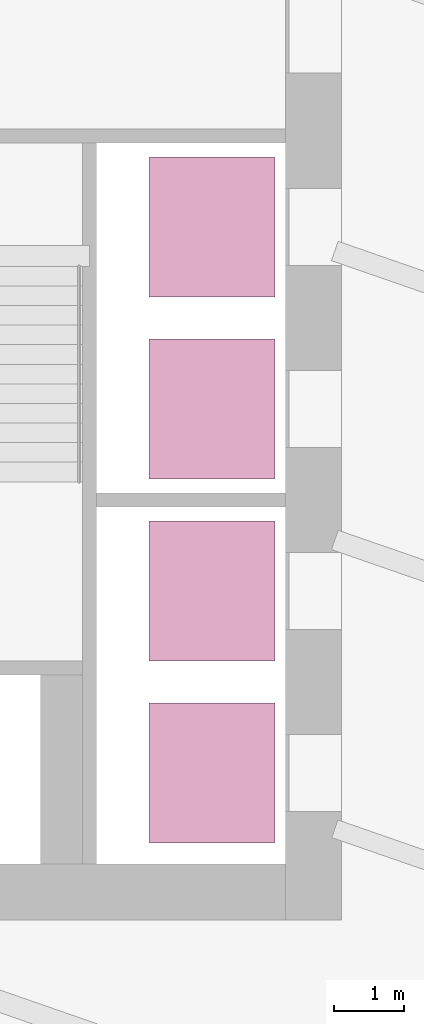
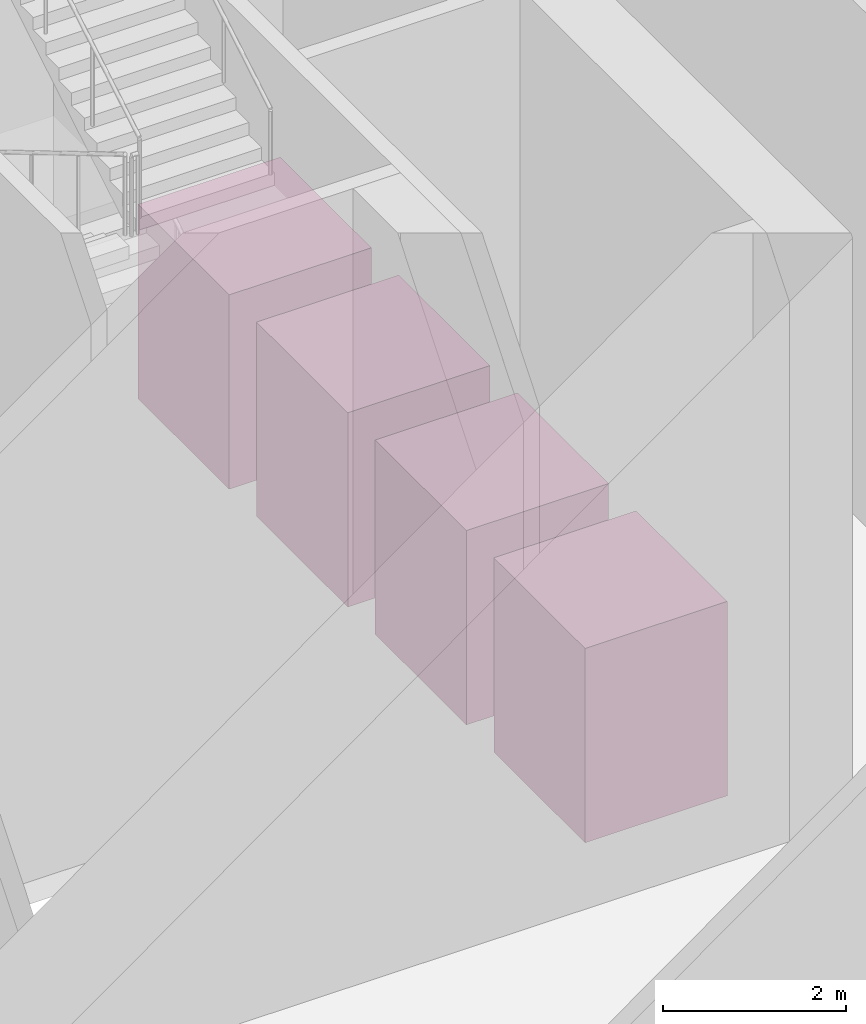
# One storey, part 62 of 63: 4 transport elements.
"""IFC4 building model written with IfcOpenShell, lengths in metres."""

from ifc_helpers import new_model, si_unit, direction, frame, origin, origin_2d, place, context, subcontext, project, spatial, rectangle, extrude, material, type_object, element, save


model = new_model("IFC4")

# Units and contexts
model_context = context("Model", 3, precision=1e-05, world=origin(), true_north=direction((0.0, 1.0)))
body_context = subcontext(model_context, "Body", "Model", "MODEL_VIEW")
ifc_project = project(units=[si_unit("LENGTHUNIT", "METRE"), si_unit("AREAUNIT", "SQUARE_METRE"), si_unit("VOLUMEUNIT", "CUBIC_METRE"), si_unit("PLANEANGLEUNIT", "RADIAN"), si_unit("MASSUNIT", "GRAM", prefix="KILO")], contexts=[model_context])

# Site, building, storey
site_placement = place(None, origin())
site = spatial("IfcSite", under=ifc_project, at=site_placement, CompositionType="ELEMENT")
building_placement = place(site_placement, origin())
building = spatial("IfcBuilding", under=site, at=building_placement, Name="Tarsis Ring Headquarters", CompositionType="ELEMENT")
storey_placement = place(building_placement, frame((0.0, 0.0, 139.60009765625)))
storey = spatial("IfcBuildingStorey", under=building, at=storey_placement, Name="L32", CompositionType="ELEMENT", Elevation=139.60009765625)

# Transport elements
ifc_material = material(Name="Stainless steel", Category="steel")
transport_element_type = type_object("IfcTransportElementType", Name="Lift car 2000x1800", PredefinedType="ELEVATOR", material=ifc_material)
for number, where, z_axis, x_axis, name in (
    (1, (8.14990234375, -10.89990234375, -0.000244140625), (0.0, 0.0, 1.0), (1.0, 0.0, 0.0), "Mid-rise lift 1 car"),
    (2, (8.14990234375, -8.300048828125, -0.000244140625), (0.0, 0.0, 1.0), (1.0, 0.0, 0.0), "Mid-rise lift 2 car"),
    (3, (8.14990234375, -5.699951171875, -0.000244140625), (0.0, 0.0, 1.0), (1.0, 0.0, 0.0), "Mid-rise lift 3 car"),
    (4, (8.14990234375, -3.10009765625, -0.000244140625), (0.0, 0.0, 1.0), (1.0, 0.0, 0.0), "Mid-rise lift 4 car"),
):
    element("IfcTransportElement", number, at=place(storey_placement, frame(where, z_axis=z_axis, x_axis=x_axis)), inside=storey, type_object=transport_element_type, Name=name, PredefinedType="ELEVATOR", context=body_context, shape_type="SweptSolid", body=[
        extrude(rectangle(XDim=1.800048828125, YDim=2.0, at=origin_2d()), origin(), (0.0, 0.0, 1.0), 2.60009765625),
    ])

save(model, "model.ifc")
